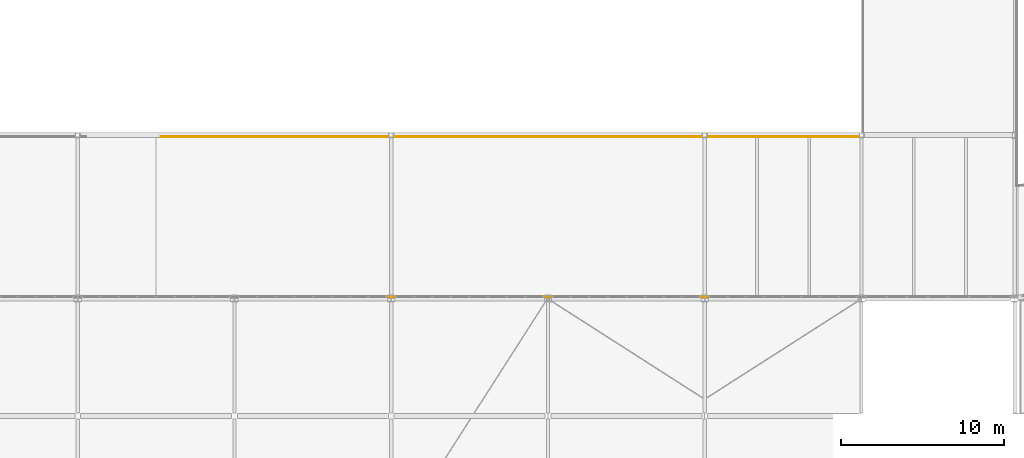
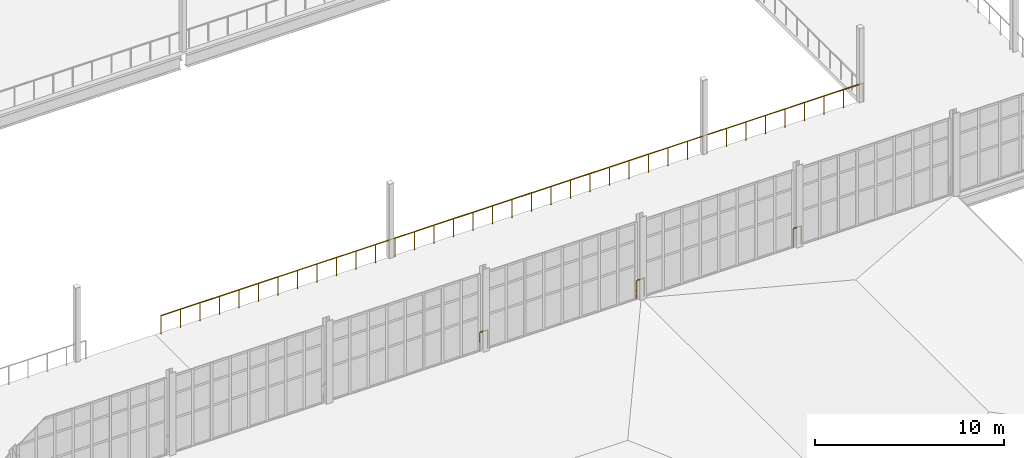
# One storey, part 106 of 112: 4 railings.
"""IFC4 building model written with IfcOpenShell, lengths in metres."""

from ifc_helpers import new_model, si_unit, direction, frame, origin, origin_2d, place, context, subcontext, project, spatial, circle, extrude, material, type_object, element, save


model = new_model("IFC4")

# Units and contexts
model_context = context("Model", 3, precision=1e-05, world=origin(), true_north=direction((0.0, 1.0)))
body_context = subcontext(model_context, "Body", "Model", "MODEL_VIEW")
ifc_project = project(units=[si_unit("LENGTHUNIT", "METRE"), si_unit("AREAUNIT", "SQUARE_METRE"), si_unit("VOLUMEUNIT", "CUBIC_METRE"), si_unit("PLANEANGLEUNIT", "RADIAN"), si_unit("MASSUNIT", "GRAM", prefix="KILO")], contexts=[model_context])

# Site, building, storey
site_placement = place(None, origin())
site = spatial("IfcSite", under=ifc_project, at=site_placement, CompositionType="ELEMENT")
building_placement = place(site_placement, origin())
building = spatial("IfcBuilding", under=site, at=building_placement, Name="Yeouljin Market Hall", CompositionType="ELEMENT")
storey_placement = place(building_placement, frame((0.0, 0.0, 6.0)))
storey = spatial("IfcBuildingStorey", under=building, at=storey_placement, Name="L01", CompositionType="ELEMENT", Elevation=6.0)

# Railings
ifc_material = material(Name="Wrought Iron and Bronze Gallery Balustrade")
railing_type = type_object("IfcRailingType", Name="Railing_AtriumBalustrade_1200", PredefinedType="BALUSTRADE", material=ifc_material)
for number, where, name in (
    (1, (122.050048828125, 36.10009765625, 0.0), "Gallery & deck edge balustrade L01-091"),
    (2, (112.449951171875, 36.10009765625, 0.0), "Gallery & deck edge balustrade L01-092"),
    (3, (102.85009765625, 36.10009765625, 0.0), "Gallery & deck edge balustrade L01-093"),
):
    element("IfcRailing", number, at=place(storey_placement, frame(where)), inside=storey, type_object=railing_type, Name=name, PredefinedType="BALUSTRADE", context=body_context, shape_type="SweptSolid", body=[
        extrude(circle(Radius=0.02392578125, at=origin_2d()), frame((0.0, 0.0, 1.17578125), z_axis=(-1.0, 0.0, 0.0), x_axis=(0.0, -1.0, 0.0)), (0.0, 0.0, 1.0), 0.5),
        extrude(circle(Radius=0.02099609375, at=origin_2d()), origin(), (0.0, 0.0, 1.0), 1.15185546875),
        extrude(circle(Radius=0.02099609375, at=origin_2d()), frame((-0.5, 0.0, 0.0)), (0.0, 0.0, 1.0), 1.15185546875),
    ])
railing_placement = place(storey_placement, frame((88.5, 45.89990234375, 0.0)))
element("IfcRailing", 4, at=railing_placement, inside=storey, type_object=railing_type, Name="Gallery & deck edge balustrade L01-120", PredefinedType="BALUSTRADE", context=body_context, shape_type="SweptSolid", body=[
    extrude(circle(Radius=0.02392578125, at=origin_2d()), frame((0.0, 0.0, 1.17578125), z_axis=(1.0, 0.0, 0.0), x_axis=(0.0, 1.0, 0.0)), (0.0, 0.0, 1.0), 43.0),
    extrude(circle(Radius=0.02099609375, at=origin_2d()), origin(), (0.0, 0.0, 1.0), 1.15185546875),
    extrude(circle(Radius=0.02099609375, at=origin_2d()), frame((1.1943359375, 0.0, 0.0)), (0.0, 0.0, 1.0), 1.15185546875),
    extrude(circle(Radius=0.02099609375, at=origin_2d()), frame((2.388916015625, 0.0, 0.0)), (0.0, 0.0, 1.0), 1.15185546875),
    extrude(circle(Radius=0.02099609375, at=origin_2d()), frame((3.583251953125, 0.0, 0.0)), (0.0, 0.0, 1.0), 1.15185546875),
    extrude(circle(Radius=0.02099609375, at=origin_2d()), frame((4.77783203125, 0.0, 0.0)), (0.0, 0.0, 1.0), 1.15185546875),
    extrude(circle(Radius=0.02099609375, at=origin_2d()), frame((5.97216796875, 0.0, 0.0)), (0.0, 0.0, 1.0), 1.15185546875),
    extrude(circle(Radius=0.02099609375, at=origin_2d()), frame((7.166748046875, 0.0, 0.0)), (0.0, 0.0, 1.0), 1.15185546875),
    extrude(circle(Radius=0.02099609375, at=origin_2d()), frame((8.361083984375, 0.0, 0.0)), (0.0, 0.0, 1.0), 1.15185546875),
    extrude(circle(Radius=0.02099609375, at=origin_2d()), frame((9.5556640625, 0.0, 0.0)), (0.0, 0.0, 1.0), 1.15185546875),
    extrude(circle(Radius=0.02099609375, at=origin_2d()), frame((10.75, 0.0, 0.0)), (0.0, 0.0, 1.0), 1.15185546875),
    extrude(circle(Radius=0.02099609375, at=origin_2d()), frame((11.9443359375, 0.0, 0.0)), (0.0, 0.0, 1.0), 1.15185546875),
    extrude(circle(Radius=0.02099609375, at=origin_2d()), frame((13.138916015625, 0.0, 0.0)), (0.0, 0.0, 1.0), 1.15185546875),
    extrude(circle(Radius=0.02099609375, at=origin_2d()), frame((14.333251953125, 0.0, 0.0)), (0.0, 0.0, 1.0), 1.15185546875),
    extrude(circle(Radius=0.02099609375, at=origin_2d()), frame((15.52783203125, 0.0, 0.0)), (0.0, 0.0, 1.0), 1.15185546875),
    extrude(circle(Radius=0.02099609375, at=origin_2d()), frame((16.72216796875, 0.0, 0.0)), (0.0, 0.0, 1.0), 1.15185546875),
    extrude(circle(Radius=0.02099609375, at=origin_2d()), frame((17.916748046875, 0.0, 0.0)), (0.0, 0.0, 1.0), 1.15185546875),
    extrude(circle(Radius=0.02099609375, at=origin_2d()), frame((19.111083984375, 0.0, 0.0)), (0.0, 0.0, 1.0), 1.15185546875),
    extrude(circle(Radius=0.02099609375, at=origin_2d()), frame((20.3056640625, 0.0, 0.0)), (0.0, 0.0, 1.0), 1.15185546875),
    extrude(circle(Radius=0.02099609375, at=origin_2d()), frame((21.5, 0.0, 0.0)), (0.0, 0.0, 1.0), 1.15185546875),
    extrude(circle(Radius=0.02099609375, at=origin_2d()), frame((22.6943359375, 0.0, 0.0)), (0.0, 0.0, 1.0), 1.15185546875),
    extrude(circle(Radius=0.02099609375, at=origin_2d()), frame((23.888916015625, 0.0, 0.0)), (0.0, 0.0, 1.0), 1.15185546875),
    extrude(circle(Radius=0.02099609375, at=origin_2d()), frame((25.083251953125, 0.0, 0.0)), (0.0, 0.0, 1.0), 1.15185546875),
    extrude(circle(Radius=0.02099609375, at=origin_2d()), frame((26.27783203125, 0.0, 0.0)), (0.0, 0.0, 1.0), 1.15185546875),
    extrude(circle(Radius=0.02099609375, at=origin_2d()), frame((27.47216796875, 0.0, 0.0)), (0.0, 0.0, 1.0), 1.15185546875),
    extrude(circle(Radius=0.02099609375, at=origin_2d()), frame((28.666748046875, 0.0, 0.0)), (0.0, 0.0, 1.0), 1.15185546875),
    extrude(circle(Radius=0.02099609375, at=origin_2d()), frame((29.861083984375, 0.0, 0.0)), (0.0, 0.0, 1.0), 1.15185546875),
    extrude(circle(Radius=0.02099609375, at=origin_2d()), frame((31.0556640625, 0.0, 0.0)), (0.0, 0.0, 1.0), 1.15185546875),
    extrude(circle(Radius=0.02099609375, at=origin_2d()), frame((32.25, 0.0, 0.0)), (0.0, 0.0, 1.0), 1.15185546875),
    extrude(circle(Radius=0.02099609375, at=origin_2d()), frame((33.4443359375, 0.0, 0.0)), (0.0, 0.0, 1.0), 1.15185546875),
    extrude(circle(Radius=0.02099609375, at=origin_2d()), frame((34.638916015625, 0.0, 0.0)), (0.0, 0.0, 1.0), 1.15185546875),
    extrude(circle(Radius=0.02099609375, at=origin_2d()), frame((35.833251953125, 0.0, 0.0)), (0.0, 0.0, 1.0), 1.15185546875),
    extrude(circle(Radius=0.02099609375, at=origin_2d()), frame((37.02783203125, 0.0, 0.0)), (0.0, 0.0, 1.0), 1.15185546875),
    extrude(circle(Radius=0.02099609375, at=origin_2d()), frame((38.22216796875, 0.0, 0.0)), (0.0, 0.0, 1.0), 1.15185546875),
    extrude(circle(Radius=0.02099609375, at=origin_2d()), frame((39.416748046875, 0.0, 0.0)), (0.0, 0.0, 1.0), 1.15185546875),
    extrude(circle(Radius=0.02099609375, at=origin_2d()), frame((40.611083984375, 0.0, 0.0)), (0.0, 0.0, 1.0), 1.15185546875),
    extrude(circle(Radius=0.02099609375, at=origin_2d()), frame((41.8056640625, 0.0, 0.0)), (0.0, 0.0, 1.0), 1.15185546875),
    extrude(circle(Radius=0.02099609375, at=origin_2d()), frame((43.0, 0.0, 0.0)), (0.0, 0.0, 1.0), 1.15185546875),
])

save(model, "model.ifc")
